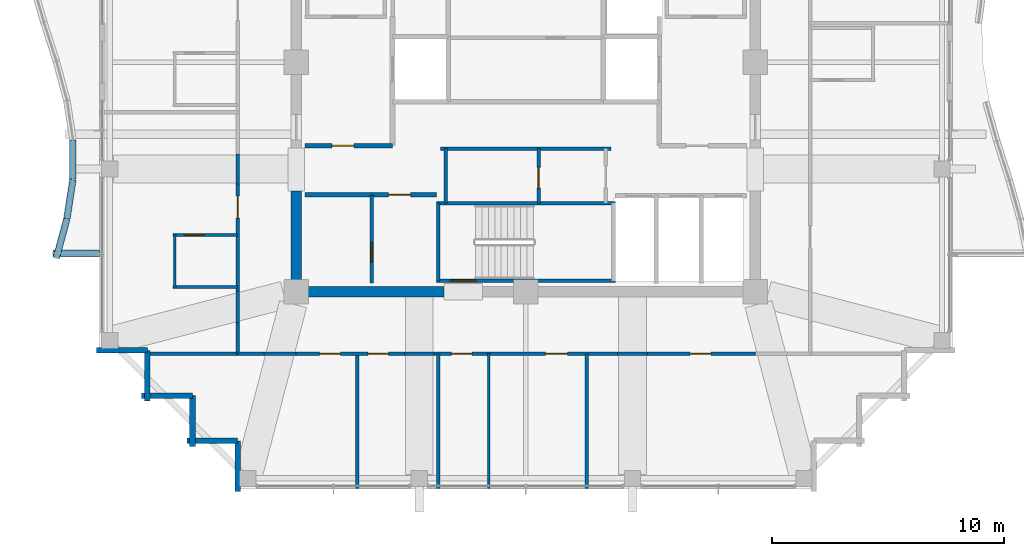
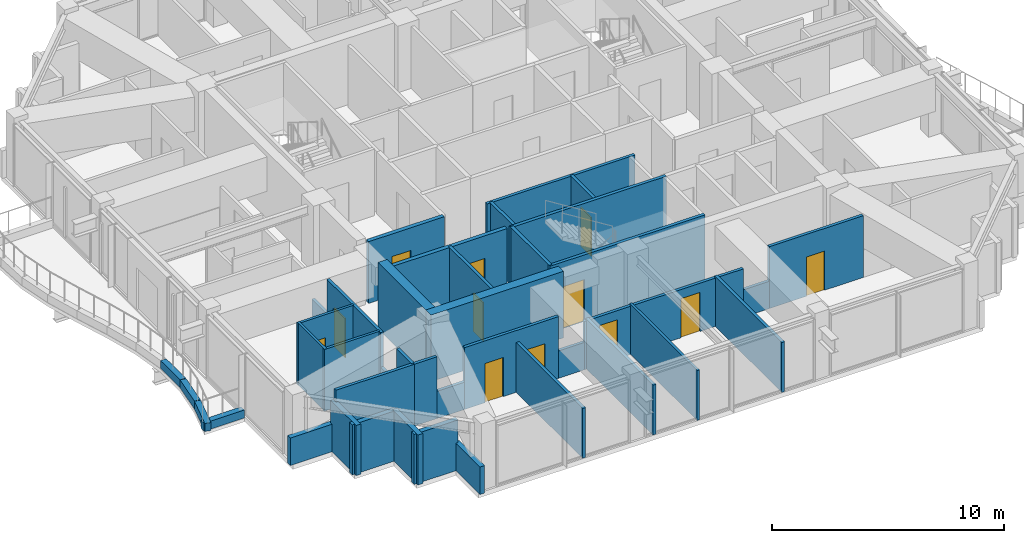
# One storey, part 25 of 31: 40 walls, 12 doors, 12 openings.
"""IFC4 building model written with IfcOpenShell, lengths in metres."""

from ifc_helpers import new_model, si_unit, direction, frame, frame_2d, origin, place, context, subcontext, project, spatial, rectangle, extrude, material, layer, layer_set, type_object, element, fill, save


model = new_model("IFC4")

# Units and contexts
model_context = context("Model", 3, precision=1e-05, world=origin(), true_north=direction((0.0, 1.0)))
body_context = subcontext(model_context, "Body", "Model", "MODEL_VIEW")
ifc_project = project(units=[si_unit("LENGTHUNIT", "METRE"), si_unit("AREAUNIT", "SQUARE_METRE"), si_unit("VOLUMEUNIT", "CUBIC_METRE"), si_unit("PLANEANGLEUNIT", "RADIAN"), si_unit("MASSUNIT", "GRAM", prefix="KILO")], contexts=[model_context])

# Site, building, storey
site_placement = place(None, origin())
site = spatial("IfcSite", under=ifc_project, at=site_placement, CompositionType="ELEMENT")
building_placement = place(site_placement, origin())
building = spatial("IfcBuilding", under=site, at=building_placement, Name="Kolvaren Belvedere", CompositionType="ELEMENT")
storey_placement = place(building_placement, frame((0.0, 0.0, 237.39990234375)))
storey = spatial("IfcBuildingStorey", under=building, at=storey_placement, Name="L69", CompositionType="ELEMENT", Elevation=237.39990234375)

# Walls
ifc_material_1 = material(Name="Concrete C50/60", Category="concrete")
ifc_layer_1 = layer(ifc_material_1, 0.449951171875)
ifc_layer_set_1 = layer_set([ifc_layer_1], Name="Concrete C50/60")
wall_type_1 = type_object("IfcWallType", Name="CW-CORE-450", PredefinedType="SHEAR", material=ifc_layer_set_1)
wall_1_placement = place(storey_placement, frame((-3.5400390625, -9.89990234375, 0.0), z_axis=(0.0, 0.0, 1.0), x_axis=(-1.0, 0.0, 0.0)))
element("IfcWall", 1, at=wall_1_placement, inside=storey, type_object=wall_type_1, Name="L69 South Core Shear Wall 2", PredefinedType="SHEAR", context=body_context, shape_type="SweptSolid", body=[
    extrude(rectangle(XDim=6.5849609375, YDim=0.449951171875, at=frame_2d((3.29248046875, 0.0))), origin(), (0.0, 0.0, 1.0), 3.5),
])
wall_2_placement = place(storey_placement, frame((-9.89990234375, -9.675048828125, 0.0), z_axis=(0.0, 0.0, 1.0), x_axis=(0.0, 1.0, 0.0)))
element("IfcWall", 2, at=wall_2_placement, inside=storey, type_object=wall_type_1, Name="L69 West Core Shear Wall 1", PredefinedType="SHEAR", context=body_context, shape_type="SweptSolid", body=[
    extrude(rectangle(XDim=4.125, YDim=0.449951171875, at=frame_2d((2.0625, 0.0))), origin(), (0.0, 0.0, 1.0), 3.5),
])

# Wall, opening, door
ifc_material_2 = material(Name="Concrete C50/60", Category="concrete")
ifc_layer_2 = layer(ifc_material_2, 0.159912109375)
ifc_layer_set_2 = layer_set([ifc_layer_2], Name="Concrete C50/60")
wall_type_2 = type_object("IfcWallType", Name="CW-STAIR-160", PredefinedType="SHEAR", material=ifc_layer_set_2)
wall_3_placement = place(storey_placement, frame((3.860107421875, -9.429931640625, 0.0), z_axis=(0.0, 0.0, 1.0), x_axis=(-1.0, 0.0, 0.0)))
wall_3 = element("IfcWall", 3, at=wall_3_placement, inside=storey, type_object=wall_type_2, Name="L69 Stair ST-3 South Shear Wall", PredefinedType="SHEAR", context=body_context, shape_type="SweptSolid", body=[
    extrude(rectangle(XDim=7.72021484375, YDim=0.159912109375, at=frame_2d((3.860107421875, 0.0))), origin(), (0.0, 0.0, 1.0), 3.5),
])
opening_1_placement = place(wall_3_placement, frame((6.010009765625, 0.0, 0.0)))
opening_1 = element("IfcOpeningElement", 4, at=opening_1_placement, cuts=wall_3, Name="Opening D-FD90", PredefinedType="OPENING", context=body_context, shape_type="SweptSolid", body=[
    extrude(rectangle(XDim=1.10009765625, YDim=2.199951171875, at=frame_2d((0.550048828125, 1.10009765625))), frame((0.0, 0.08984375, 0.0), z_axis=(0.0, -1.0, 0.0), x_axis=(1.0, 0.0, 0.0)), (0.0, 0.0, 1.0), 0.179931640625),
])
ifc_material_3 = material(Name="Painted hollow stainless steel", Category="steel")
door_type_1 = type_object("IfcDoorType", Name="DR-FD90-1100", OperationType="NOTDEFINED", PredefinedType="DOOR", material=ifc_material_3)
door_1_placement = place(opening_1_placement, origin())
door_1 = element("IfcDoor", 5, at=door_1_placement, inside=storey, type_object=door_type_1, Name="L69 Stair ST-3 Exit Door", OperationType="SINGLE_SWING_RIGHT", OverallHeight=2.199951171875, OverallWidth=1.10009765625, PredefinedType="DOOR", context=body_context, shape_type="SweptSolid", body=[
    extrude(rectangle(XDim=1.10009765625, YDim=2.199951171875, at=frame_2d((0.550048828125, 1.10009765625))), frame((0.0, 0.02490234375, 0.0), z_axis=(0.0, -1.0, 0.0), x_axis=(1.0, 0.0, 0.0)), (0.0, 0.0, 1.0), 0.050048828125),
])
fill(opening_1, door_1)

# Walls
wall_4_placement = place(storey_placement, frame((-3.860107421875, -6.080078125, 0.0), z_axis=(0.0, 0.0, 1.0), x_axis=(1.0, 0.0, 0.0)))
element("IfcWall", 6, at=wall_4_placement, inside=storey, type_object=wall_type_2, Name="L69 Stair ST-3 North Shear Wall", PredefinedType="SHEAR", context=body_context, shape_type="SweptSolid", body=[
    extrude(rectangle(XDim=7.72021484375, YDim=0.159912109375, at=frame_2d((3.860107421875, 0.0))), origin(), (0.0, 0.0, 1.0), 3.5),
])
wall_5_placement = place(storey_placement, frame((-3.780029296875, -9.429931640625, 0.0), z_axis=(0.0, 0.0, 1.0), x_axis=(0.0, 1.0, 0.0)))
element("IfcWall", 7, at=wall_5_placement, inside=storey, type_object=wall_type_2, Name="L69 Stair ST-3 West Shear Wall", PredefinedType="SHEAR", context=body_context, shape_type="SweptSolid", body=[
    extrude(rectangle(XDim=3.349853515625, YDim=0.159912109375, at=frame_2d((1.6748046875, 0.0))), origin(), (0.0, 0.0, 1.0), 3.5),
])
ifc_material_4 = material(Name="Gypsum fire-rated partition assembly", Category="gypsum")
ifc_layer_3 = layer(ifc_material_4, 0.14990234375)
ifc_layer_set_3 = layer_set([ifc_layer_3], Name="Gypsum fire-rated partition assembly")
wall_type_3 = type_object("IfcWallType", Name="WL-CORR-150", PredefinedType="PARTITIONING", material=ifc_layer_set_3)
wall_6_placement = place(storey_placement, frame((-12.419921875, -12.580078125, 0.0), z_axis=(0.0, 0.0, 1.0), x_axis=(1.0, 0.0, 0.0)))
element("IfcWall", 8, at=wall_6_placement, inside=storey, type_object=wall_type_3, Name="L69 South Corridor Wall", PredefinedType="PARTITIONING", context=body_context, shape_type="SweptSolid", body=[
    extrude(rectangle(XDim=1.1357421875, YDim=0.14990234375, at=frame_2d((0.56787109375, 0.0))), origin(), (0.0, 0.0, 1.0), 3.25),
])
wall_7_placement = place(storey_placement, frame((-11.2841796875, -12.580078125, 0.0), z_axis=(0.0, 0.0, 1.0), x_axis=(1.0, 0.0, 0.0)))
element("IfcWall", 9, at=wall_7_placement, inside=storey, type_object=wall_type_3, Name="L69 South Corridor Wall", PredefinedType="PARTITIONING", context=body_context, shape_type="SweptSolid", body=[
    extrude(rectangle(XDim=1.370361328125, YDim=0.14990234375, at=frame_2d((0.68505859375, 0.0))), origin(), (0.0, 0.0, 1.0), 1.43505859375),
])

# Wall, openings, doors
wall_8_placement = place(storey_placement, frame((-9.913818359375, -12.580078125, 0.0), z_axis=(0.0, 0.0, 1.0), x_axis=(1.0, 0.0, 0.0)))
wall_8 = element("IfcWall", 10, at=wall_8_placement, inside=storey, type_object=wall_type_3, Name="L69 South Corridor Wall", PredefinedType="PARTITIONING", context=body_context, shape_type="SweptSolid", body=[
    extrude(rectangle(XDim=4.671875, YDim=0.14990234375, at=frame_2d((2.3359375, 0.0))), origin(), (0.0, 0.0, 1.0), 3.25),
])
opening_2_placement = place(wall_8_placement, frame((1.018310546875, 0.0, 0.0)))
opening_2 = element("IfcOpeningElement", 11, at=opening_2_placement, cuts=wall_8, Name="Opening D-INT90", PredefinedType="OPENING", context=body_context, shape_type="SweptSolid", body=[
    extrude(rectangle(XDim=0.89990234375, YDim=2.06005859375, at=frame_2d((0.449951171875, 1.030029296875))), frame((0.0, 0.0849609375, 0.0), z_axis=(0.0, -1.0, 0.0), x_axis=(1.0, 0.0, 0.0)), (0.0, 0.0, 1.0), 0.169921875),
])
opening_3_placement = place(wall_8_placement, frame((3.09619140625, 0.0, 0.0)))
opening_3 = element("IfcOpeningElement", 12, at=opening_3_placement, cuts=wall_8, Name="Opening D-INT90", PredefinedType="OPENING", context=body_context, shape_type="SweptSolid", body=[
    extrude(rectangle(XDim=0.89990234375, YDim=2.06005859375, at=frame_2d((0.449951171875, 1.030029296875))), frame((0.0, 0.0849609375, 0.0), z_axis=(0.0, -1.0, 0.0), x_axis=(1.0, 0.0, 0.0)), (0.0, 0.0, 1.0), 0.169921875),
])
ifc_material_5 = material(Name="Stained Pacific white oak", Category="timber")
door_type_2 = type_object("IfcDoorType", Name="DR-INT-900", OperationType="NOTDEFINED", PredefinedType="DOOR", material=ifc_material_5)
door_2_placement = place(opening_2_placement, origin())
door_2 = element("IfcDoor", 13, at=door_2_placement, inside=storey, type_object=door_type_2, Name="L69 Wellness Yoga & Reading Gym 6901 Door", OperationType="SINGLE_SWING_LEFT", OverallHeight=2.06005859375, OverallWidth=0.89990234375, PredefinedType="DOOR", context=body_context, shape_type="SweptSolid", body=[
    extrude(rectangle(XDim=0.89990234375, YDim=2.06005859375, at=frame_2d((0.449951171875, 1.030029296875))), frame((0.0, 0.02490234375, 0.0), z_axis=(0.0, -1.0, 0.0), x_axis=(1.0, 0.0, 0.0)), (0.0, 0.0, 1.0), 0.050048828125),
])
fill(opening_2, door_2)
door_3_placement = place(opening_3_placement, origin())
door_3 = element("IfcDoor", 14, at=door_3_placement, inside=storey, type_object=door_type_2, Name="L69 Guest Tea & Espresso Kitchen 6902 Door", OperationType="SINGLE_SWING_RIGHT", OverallHeight=2.06005859375, OverallWidth=0.89990234375, PredefinedType="DOOR", context=body_context, shape_type="SweptSolid", body=[
    extrude(rectangle(XDim=0.89990234375, YDim=2.06005859375, at=frame_2d((0.449951171875, 1.030029296875))), frame((0.0, 0.02490234375, 0.0), z_axis=(0.0, -1.0, 0.0), x_axis=(1.0, 0.0, 0.0)), (0.0, 0.0, 1.0), 0.050048828125),
])
fill(opening_3, door_3)

# Wall
wall_9_placement = place(storey_placement, frame((-5.241943359375, -12.580078125, 0.0), z_axis=(0.0, 0.0, 1.0), x_axis=(1.0, 0.0, 0.0)))
element("IfcWall", 15, at=wall_9_placement, inside=storey, type_object=wall_type_3, Name="L69 South Corridor Wall", PredefinedType="PARTITIONING", context=body_context, shape_type="SweptSolid", body=[
    extrude(rectangle(XDim=1.283935546875, YDim=0.14990234375, at=frame_2d((0.64208984375, 0.0))), origin(), (0.0, 0.0, 1.0), 1.43505859375),
])

# Wall, openings, doors
wall_10_placement = place(storey_placement, frame((-3.9580078125, -12.580078125, 0.0), z_axis=(0.0, 0.0, 1.0), x_axis=(1.0, 0.0, 0.0)))
wall_10 = element("IfcWall", 16, at=wall_10_placement, inside=storey, type_object=wall_type_3, Name="L69 South Corridor Wall", PredefinedType="PARTITIONING", context=body_context, shape_type="SweptSolid", body=[
    extrude(rectangle(XDim=7.916015625, YDim=0.14990234375, at=frame_2d((3.9580078125, 0.0))), origin(), (0.0, 0.0, 1.0), 2.5390625),
])
opening_4_placement = place(wall_10_placement, frame((0.741455078125, 0.0, 0.0)))
opening_4 = element("IfcOpeningElement", 17, at=opening_4_placement, cuts=wall_10, Name="Opening D-INT90", PredefinedType="OPENING", context=body_context, shape_type="SweptSolid", body=[
    extrude(rectangle(XDim=0.89990234375, YDim=2.06005859375, at=frame_2d((0.449951171875, 1.030029296875))), frame((0.0, 0.0849609375, 0.0), z_axis=(0.0, -1.0, 0.0), x_axis=(1.0, 0.0, 0.0)), (0.0, 0.0, 1.0), 0.169921875),
])
opening_5_placement = place(wall_10_placement, frame((4.797119140625, 0.0, 0.0)))
opening_5 = element("IfcOpeningElement", 18, at=opening_5_placement, cuts=wall_10, Name="Opening D-INT95", PredefinedType="OPENING", context=body_context, shape_type="SweptSolid", body=[
    extrude(rectangle(XDim=0.949951171875, YDim=2.06005859375, at=frame_2d((0.47509765625, 1.030029296875))), frame((0.0, 0.0849609375, 0.0), z_axis=(0.0, -1.0, 0.0), x_axis=(1.0, 0.0, 0.0)), (0.0, 0.0, 1.0), 0.169921875),
])
door_4_placement = place(opening_4_placement, origin())
door_4 = element("IfcDoor", 19, at=door_4_placement, inside=storey, type_object=door_type_2, Name="L69 Housekeeping Door", OperationType="SINGLE_SWING_LEFT", OverallHeight=2.06005859375, OverallWidth=0.89990234375, PredefinedType="DOOR", context=body_context, shape_type="SweptSolid", body=[
    extrude(rectangle(XDim=0.89990234375, YDim=2.06005859375, at=frame_2d((0.449951171875, 1.030029296875))), frame((0.0, 0.02490234375, 0.0), z_axis=(0.0, -1.0, 0.0), x_axis=(1.0, 0.0, 0.0)), (0.0, 0.0, 1.0), 0.050048828125),
])
fill(opening_4, door_4)
ifc_material_6 = material(Name="Stained Pacific white oak", Category="timber")
door_type_3 = type_object("IfcDoorType", Name="DR-INT-950", OperationType="NOTDEFINED", PredefinedType="DOOR", material=ifc_material_6)
door_5_placement = place(opening_5_placement, origin())
door_5 = element("IfcDoor", 20, at=door_5_placement, inside=storey, type_object=door_type_3, Name="L69 Accessible Washroom Door", OperationType="SINGLE_SWING_RIGHT", OverallHeight=2.06005859375, OverallWidth=0.949951171875, PredefinedType="DOOR", context=body_context, shape_type="SweptSolid", body=[
    extrude(rectangle(XDim=0.949951171875, YDim=2.06005859375, at=frame_2d((0.47509765625, 1.030029296875))), frame((0.0, 0.02490234375, 0.0), z_axis=(0.0, -1.0, 0.0), x_axis=(1.0, 0.0, 0.0)), (0.0, 0.0, 1.0), 0.050048828125),
])
fill(opening_5, door_5)

# Wall
wall_11_placement = place(storey_placement, frame((3.9580078125, -12.580078125, 0.0), z_axis=(0.0, 0.0, 1.0), x_axis=(1.0, 0.0, 0.0)))
element("IfcWall", 21, at=wall_11_placement, inside=storey, type_object=wall_type_3, Name="L69 South Corridor Wall", PredefinedType="PARTITIONING", context=body_context, shape_type="SweptSolid", body=[
    extrude(rectangle(XDim=1.283935546875, YDim=0.14990234375, at=frame_2d((0.64208984375, 0.0))), origin(), (0.0, 0.0, 1.0), 1.43505859375),
])

# Wall, opening, door
wall_12_placement = place(storey_placement, frame((5.241943359375, -12.580078125, 0.0), z_axis=(0.0, 0.0, 1.0), x_axis=(1.0, 0.0, 0.0)))
wall_12 = element("IfcWall", 22, at=wall_12_placement, inside=storey, type_object=wall_type_3, Name="L69 South Corridor Wall", PredefinedType="PARTITIONING", context=body_context, shape_type="SweptSolid", body=[
    extrude(rectangle(XDim=4.671875, YDim=0.14990234375, at=frame_2d((2.3359375, 0.0))), origin(), (0.0, 0.0, 1.0), 3.25),
])
opening_6_placement = place(wall_12_placement, frame((1.843017578125, 0.0, 0.0)))
opening_6 = element("IfcOpeningElement", 23, at=opening_6_placement, cuts=wall_12, Name="Opening D-INT90", PredefinedType="OPENING", context=body_context, shape_type="SweptSolid", body=[
    extrude(rectangle(XDim=0.89990234375, YDim=2.06005859375, at=frame_2d((0.449951171875, 1.030029296875))), frame((0.0, 0.0849609375, 0.0), z_axis=(0.0, -1.0, 0.0), x_axis=(1.0, 0.0, 0.0)), (0.0, 0.0, 1.0), 0.169921875),
])
door_6_placement = place(opening_6_placement, origin())
door_6 = element("IfcDoor", 24, at=door_6_placement, inside=storey, type_object=door_type_2, Name="L69 Private Hospitality Meeting Room 6903 Door", OperationType="SINGLE_SWING_LEFT", OverallHeight=2.06005859375, OverallWidth=0.89990234375, PredefinedType="DOOR", context=body_context, shape_type="SweptSolid", body=[
    extrude(rectangle(XDim=0.89990234375, YDim=2.06005859375, at=frame_2d((0.449951171875, 1.030029296875))), frame((0.0, 0.02490234375, 0.0), z_axis=(0.0, -1.0, 0.0), x_axis=(1.0, 0.0, 0.0)), (0.0, 0.0, 1.0), 0.050048828125),
])
fill(opening_6, door_6)

# Walls
wall_13_placement = place(storey_placement, frame((-12.419921875, -12.580078125, 0.0), z_axis=(0.0, 0.0, 1.0), x_axis=(0.0, 1.0, 0.0)))
element("IfcWall", 25, at=wall_13_placement, inside=storey, type_object=wall_type_3, Name="L69 West Corridor Wall", PredefinedType="PARTITIONING", context=body_context, shape_type="SweptSolid", body=[
    extrude(rectangle(XDim=1.33740234375, YDim=0.14990234375, at=frame_2d((0.668701171875, 0.0))), origin(), (0.0, 0.0, 1.0), 3.25),
])
wall_14_placement = place(storey_placement, frame((-12.419921875, -11.24267578125, 0.0), z_axis=(0.0, 0.0, 1.0), x_axis=(0.0, 1.0, 0.0)))
element("IfcWall", 26, at=wall_14_placement, inside=storey, type_object=wall_type_3, Name="L69 West Corridor Wall", PredefinedType="PARTITIONING", context=body_context, shape_type="SweptSolid", body=[
    extrude(rectangle(XDim=1.370361328125, YDim=0.14990234375, at=frame_2d((0.68505859375, 0.0))), origin(), (0.0, 0.0, 1.0), 1.43505859375),
])

# Wall, opening, door
wall_15_placement = place(storey_placement, frame((-12.419921875, -9.872314453125, 0.0), z_axis=(0.0, 0.0, 1.0), x_axis=(0.0, 1.0, 0.0)))
wall_15 = element("IfcWall", 27, at=wall_15_placement, inside=storey, type_object=wall_type_3, Name="L69 West Corridor Wall", PredefinedType="PARTITIONING", context=body_context, shape_type="SweptSolid", body=[
    extrude(rectangle(XDim=4.63037109375, YDim=0.14990234375, at=frame_2d((2.315185546875, 0.0))), origin(), (0.0, 0.0, 1.0), 3.25),
])
opening_7_placement = place(wall_15_placement, frame((3.150146484375, 0.0, 0.0)))
opening_7 = element("IfcOpeningElement", 28, at=opening_7_placement, cuts=wall_15, Name="Opening D-FD60", PredefinedType="OPENING", context=body_context, shape_type="SweptSolid", body=[
    extrude(rectangle(XDim=0.949951171875, YDim=2.06005859375, at=frame_2d((0.47509765625, 1.030029296875))), frame((0.0, 0.0849609375, 0.0), z_axis=(0.0, -1.0, 0.0), x_axis=(1.0, 0.0, 0.0)), (0.0, 0.0, 1.0), 0.169921875),
])
ifc_material_7 = material(Name="Acoustic white-oak fire door leaf", Category="timber")
door_type_4 = type_object("IfcDoorType", Name="DR-FD60-950", OperationType="NOTDEFINED", PredefinedType="DOOR", material=ifc_material_7)
door_7_placement = place(opening_7_placement, origin())
door_7 = element("IfcDoor", 29, at=door_7_placement, inside=storey, type_object=door_type_4, Name="L69 Botanical Hospitality Suite 6906 Entry Door", OperationType="SINGLE_SWING_LEFT", OverallHeight=2.06005859375, OverallWidth=0.949951171875, PredefinedType="DOOR", context=body_context, shape_type="SweptSolid", body=[
    extrude(rectangle(XDim=0.949951171875, YDim=2.06005859375, at=frame_2d((0.47509765625, 1.030029296875))), frame((0.0, 0.02490234375, 0.0), z_axis=(0.0, -1.0, 0.0), x_axis=(1.0, 0.0, 0.0)), (0.0, 0.0, 1.0), 0.050048828125),
])
fill(opening_7, door_7)

# Walls
wall_16_placement = place(storey_placement, frame((-12.419921875, -5.241943359375, 0.0), z_axis=(0.0, 0.0, 1.0), x_axis=(0.0, 1.0, 0.0)))
element("IfcWall", 30, at=wall_16_placement, inside=storey, type_object=wall_type_3, Name="L69 West Corridor Wall", PredefinedType="PARTITIONING", context=body_context, shape_type="SweptSolid", body=[
    extrude(rectangle(XDim=1.283935546875, YDim=0.14990234375, at=frame_2d((0.64208984375, 0.0))), origin(), (0.0, 0.0, 1.0), 1.43505859375),
])
ifc_material_8 = material(Name="Insulated pale-metal facade wall assembly", Category="aluminium")
ifc_layer_4 = layer(ifc_material_8, 0.239990234375)
ifc_layer_set_4 = layer_set([ifc_layer_4], Name="Insulated pale-metal facade wall assembly")
wall_type_4 = type_object("IfcWallType", Name="WL-EXT-240", PredefinedType="STANDARD", material=ifc_layer_set_4)
wall_17_placement = place(storey_placement, frame((-16.330078125, -12.429931640625, 0.0), z_axis=(0.0, 0.0, 1.0), x_axis=(-1.0, 0.0, 0.0)))
element("IfcWall", 31, at=wall_17_placement, inside=storey, type_object=wall_type_4, Name="L69 Serrated Corner Facade Wall 23", PredefinedType="STANDARD", context=body_context, shape_type="SweptSolid", body=[
    extrude(rectangle(XDim=2.18994140625, YDim=0.239990234375, at=frame_2d((1.094970703125, 0.0))), origin(), (0.0, 0.0, 1.0), 1.445068359375),
])
for number, where, z_axis, x_axis, name in (
    (32, (-16.330078125, -14.6201171875, 0.0), (0.0, 0.0, 1.0), (0.0, 1.0, 0.0), "L69 Serrated Corner Facade Wall 24"),
    (33, (-14.3798828125, -14.3798828125, 0.0), (0.0, 0.0, 1.0), (-1.0, 0.0, 0.0), "L69 Serrated Corner Facade Wall 25"),
    (34, (-14.3798828125, -16.570068359375, 0.0), (0.0, 0.0, 1.0), (0.0, 1.0, 0.0), "L69 Serrated Corner Facade Wall 26"),
    (35, (-12.429931640625, -16.330078125, 0.0), (0.0, 0.0, 1.0), (-1.0, 0.0, 0.0), "L69 Serrated Corner Facade Wall 27"),
):
    element("IfcWall", number, at=place(storey_placement, frame(where, z_axis=z_axis, x_axis=x_axis)), inside=storey, type_object=wall_type_4, Name=name, PredefinedType="STANDARD", context=body_context, shape_type="SweptSolid", body=[
        extrude(rectangle(XDim=2.190185546875, YDim=0.239990234375, at=frame_2d((1.09521484375, 0.0))), origin(), (0.0, 0.0, 1.0), 2.633056640625),
    ])
wall_18_placement = place(storey_placement, frame((-12.429931640625, -18.52001953125, 0.0), z_axis=(0.0, 0.0, 1.0), x_axis=(0.0, 1.0, 0.0)))
element("IfcWall", 36, at=wall_18_placement, inside=storey, type_object=wall_type_4, Name="L69 Serrated Corner Facade Wall 28", PredefinedType="STANDARD", context=body_context, shape_type="SweptSolid", body=[
    extrude(rectangle(XDim=2.18994140625, YDim=0.239990234375, at=frame_2d((1.094970703125, 0.0))), origin(), (0.0, 0.0, 1.0), 1.445068359375),
])

# Wall, opening, door
ifc_material_9 = material(Name="Gypsum acoustic partition assembly", Category="gypsum")
ifc_layer_5 = layer(ifc_material_9, 0.14990234375)
ifc_layer_set_5 = layer_set([ifc_layer_5], Name="Gypsum acoustic partition assembly")
wall_type_5 = type_object("IfcWallType", Name="WL-PART-150", PredefinedType="PARTITIONING", material=ifc_layer_set_5)
wall_19_placement = place(storey_placement, frame((-6.64990234375, -9.52001953125, 0.0), z_axis=(0.0, 0.0, 1.0), x_axis=(0.0, 1.0, 0.0)))
wall_19 = element("IfcWall", 37, at=wall_19_placement, inside=storey, type_object=wall_type_5, Name="L69 Reclaimed Mid Divider", PredefinedType="PARTITIONING", context=body_context, shape_type="SweptSolid", body=[
    extrude(rectangle(XDim=3.800048828125, YDim=0.14990234375, at=frame_2d((1.89990234375, 0.0))), origin(), (0.0, 0.0, 1.0), 3.25),
])
opening_8_placement = place(wall_19_placement, frame((0.89990234375, 0.0, 0.0)))
opening_8 = element("IfcOpeningElement", 38, at=opening_8_placement, cuts=wall_19, Name="Opening D-INT85", PredefinedType="OPENING", context=body_context, shape_type="SweptSolid", body=[
    extrude(rectangle(XDim=0.85009765625, YDim=2.030029296875, at=frame_2d((0.425048828125, 1.01513671875))), frame((0.0, 0.0849609375, 0.0), z_axis=(0.0, -1.0, 0.0), x_axis=(1.0, 0.0, 0.0)), (0.0, 0.0, 1.0), 0.169921875),
])
ifc_material_10 = material(Name="Stained Pacific white oak", Category="timber")
door_type_5 = type_object("IfcDoorType", Name="DR-INT-850", OperationType="NOTDEFINED", PredefinedType="DOOR", material=ifc_material_10)
door_8_placement = place(opening_8_placement, origin())
door_8 = element("IfcDoor", 39, at=door_8_placement, inside=storey, type_object=door_type_5, Name="L69 Conservatory Alcove Door", OperationType="SINGLE_SWING_RIGHT", OverallHeight=2.030029296875, OverallWidth=0.85009765625, PredefinedType="DOOR", context=body_context, shape_type="SweptSolid", body=[
    extrude(rectangle(XDim=0.85009765625, YDim=2.030029296875, at=frame_2d((0.425048828125, 1.01513671875))), frame((0.0, 0.02490234375, 0.0), z_axis=(0.0, -1.0, 0.0), x_axis=(1.0, 0.0, 0.0)), (0.0, 0.0, 1.0), 0.050048828125),
])
fill(opening_8, door_8)

# Walls
wall_20_placement = place(storey_placement, frame((-3.679931640625, -3.719970703125, 0.0), z_axis=(0.0, 0.0, 1.0), x_axis=(1.0, 0.0, 0.0)))
element("IfcWall", 40, at=wall_20_placement, inside=storey, type_object=wall_type_5, Name="L69 South Core Service North Wall", PredefinedType="PARTITIONING", context=body_context, shape_type="SweptSolid", body=[
    extrude(rectangle(XDim=7.35986328125, YDim=0.14990234375, at=frame_2d((3.679931640625, 0.0))), origin(), (0.0, 0.0, 1.0), 3.25),
])
wall_21_placement = place(storey_placement, frame((-3.449951171875, -6.080078125, 0.0), z_axis=(0.0, 0.0, 1.0), x_axis=(0.0, 1.0, 0.0)))
element("IfcWall", 41, at=wall_21_placement, inside=storey, type_object=wall_type_5, Name="L69 South Core Service West Wall", PredefinedType="PARTITIONING", context=body_context, shape_type="SweptSolid", body=[
    extrude(rectangle(XDim=2.360107421875, YDim=0.14990234375, at=frame_2d((1.18017578125, 0.0))), origin(), (0.0, 0.0, 1.0), 3.25),
])

# Wall, opening, door
wall_22_placement = place(storey_placement, frame((0.550048828125, -6.080078125, 0.0), z_axis=(0.0, 0.0, 1.0), x_axis=(0.0, 1.0, 0.0)))
wall_22 = element("IfcWall", 42, at=wall_22_placement, inside=storey, type_object=wall_type_5, Name="L69 Core Service Divider", PredefinedType="PARTITIONING", context=body_context, shape_type="SweptSolid", body=[
    extrude(rectangle(XDim=2.360107421875, YDim=0.14990234375, at=frame_2d((1.18017578125, 0.0))), origin(), (0.0, 0.0, 1.0), 3.25),
])
opening_9_placement = place(wall_22_placement, frame((0.64990234375, 0.0, 0.0)))
opening_9 = element("IfcOpeningElement", 43, at=opening_9_placement, cuts=wall_22, Name="Opening D-INT90", PredefinedType="OPENING", context=body_context, shape_type="SweptSolid", body=[
    extrude(rectangle(XDim=0.89990234375, YDim=2.06005859375, at=frame_2d((0.449951171875, 1.030029296875))), frame((0.0, 0.0849609375, 0.0), z_axis=(0.0, -1.0, 0.0), x_axis=(1.0, 0.0, 0.0)), (0.0, 0.0, 1.0), 0.169921875),
])
door_9_placement = place(opening_9_placement, origin())
door_9 = element("IfcDoor", 44, at=door_9_placement, inside=storey, type_object=door_type_2, Name="L69 BMS Inner Door", OperationType="SINGLE_SWING_LEFT", OverallHeight=2.06005859375, OverallWidth=0.89990234375, PredefinedType="DOOR", context=body_context, shape_type="SweptSolid", body=[
    extrude(rectangle(XDim=0.89990234375, YDim=2.06005859375, at=frame_2d((0.449951171875, 1.030029296875))), frame((0.0, 0.02490234375, 0.0), z_axis=(0.0, -1.0, 0.0), x_axis=(1.0, 0.0, 0.0)), (0.0, 0.0, 1.0), 0.050048828125),
])
fill(opening_9, door_9)

# Walls
wall_23_placement = place(storey_placement, frame((-16.320068359375, -12.580078125, 0.0), z_axis=(0.0, 0.0, 1.0), x_axis=(1.0, 0.0, 0.0)))
element("IfcWall", 45, at=wall_23_placement, inside=storey, type_object=wall_type_5, Name="L69 Wing Divider PW-L69-QSW", PredefinedType="PARTITIONING", context=body_context, shape_type="SweptSolid", body=[
    extrude(rectangle(XDim=3.900146484375, YDim=0.14990234375, at=frame_2d((1.9501953125, 0.0))), origin(), (0.0, 0.0, 1.0), 3.25),
])
for number, where, z_axis, x_axis, name in (
    (46, (-7.280029296875, -18.3798828125, 0.0), (0.0, 0.0, 1.0), (0.0, 1.0, 0.0), "L69 South Suite Demising Wall 1"),
    (47, (-3.780029296875, -18.3798828125, 0.0), (0.0, 0.0, 1.0), (0.0, 1.0, 0.0), "L69 South Suite Demising Wall 2"),
    (48, (2.6201171875, -18.3798828125, 0.0), (0.0, 0.0, 1.0), (0.0, 1.0, 0.0), "L69 South Suite Demising Wall 3"),
):
    element("IfcWall", number, at=place(storey_placement, frame(where, z_axis=z_axis, x_axis=x_axis)), inside=storey, type_object=wall_type_5, Name=name, PredefinedType="PARTITIONING", context=body_context, shape_type="SweptSolid", body=[
        extrude(rectangle(XDim=5.7998046875, YDim=0.14990234375, at=frame_2d((2.89990234375, 0.0))), origin(), (0.0, 0.0, 1.0), 2.623046875),
    ])
ifc_material_11 = material(Name="Precast concrete C40/50", Category="concrete")
ifc_layer_6 = layer(ifc_material_11, 0.300048828125)
ifc_layer_set_6 = layer_set([ifc_layer_6], Name="Precast concrete C40/50")
wall_type_6 = type_object("IfcWallType", Name="WL-PLANTER-300", PredefinedType="PARAPET", material=ifc_layer_set_6)
wall_24_placement = place(storey_placement, frame((-19.533935546875, -3.360107421875, -0.06982421875), z_axis=(0.0, 0.0, 1.0), x_axis=(0.0, -1.0, 0.0)))
element("IfcWall", 49, at=wall_24_placement, inside=storey, type_object=wall_type_6, Name="L69 Precast Structural Planter Wall BAL-W-8", PredefinedType="PARAPET", context=body_context, shape_type="SweptSolid", body=[
    extrude(rectangle(XDim=1.679931640625, YDim=0.280029296875, at=frame_2d((0.83984375, 0.0))), origin(), (0.0, 0.0, 1.0), 0.419921875),
])
wall_25_placement = place(storey_placement, frame((-19.535888671875, -5.064453125, -0.06982421875), z_axis=(0.0, 0.0, 1.0), x_axis=(-0.152251460091, -0.988341789514, 0.0)))
element("IfcWall", 50, at=wall_25_placement, inside=storey, type_object=wall_type_6, Name="L69 Precast Structural Planter Wall BAL-W-9", PredefinedType="PARAPET", context=body_context, shape_type="SweptSolid", body=[
    extrude(rectangle(XDim=1.69970703125, YDim=0.280029296875, at=frame_2d((0.849853515625, 0.0))), origin(), (0.0, 0.0, 1.0), 0.419921875),
])
wall_26_placement = place(storey_placement, frame((-19.798095703125, -6.76171875, -0.06982421875), z_axis=(0.0, 0.0, 1.0), x_axis=(-0.260682852326, -0.965424492388, 0.0)))
element("IfcWall", 51, at=wall_26_placement, inside=storey, type_object=wall_type_6, Name="L69 Precast Structural Planter Wall BAL-W-10", PredefinedType="PARAPET", context=body_context, shape_type="SweptSolid", body=[
    extrude(rectangle(XDim=1.739990234375, YDim=0.280029296875, at=frame_2d((0.8701171875, 0.0))), origin(), (0.0, 0.0, 1.0), 0.419921875),
])
wall_27_placement = place(storey_placement, frame((-20.40625, -8.239990234375, -0.06982421875), z_axis=(0.0, 0.0, 1.0), x_axis=(1.0, 0.0, 0.0)))
element("IfcWall", 52, at=wall_27_placement, inside=storey, type_object=wall_type_6, Name="L69 Precast Structural Planter Wall BAL-W-11", PredefinedType="PARAPET", context=body_context, shape_type="SweptSolid", body=[
    extrude(rectangle(XDim=2.00634765625, YDim=0.280029296875, at=frame_2d((1.003173828125, 0.0))), origin(), (0.0, 0.0, 1.0), 0.419921875),
])

# Wall, opening, door
ifc_material_12 = material(Name="Concrete C50/60", Category="concrete")
ifc_layer_7 = layer(ifc_material_12, 0.199951171875)
ifc_layer_set_7 = layer_set([ifc_layer_7], Name="Concrete C50/60")
wall_type_7 = type_object("IfcWallType", Name="WL-SHAFT-200", PredefinedType="SOLIDWALL", material=ifc_layer_set_7)
wall_28_placement = place(storey_placement, frame((-9.52001953125, -3.60009765625, 0.0), z_axis=(0.0, 0.0, 1.0), x_axis=(1.0, 0.0, 0.0)))
wall_28 = element("IfcWall", 53, at=wall_28_placement, inside=storey, type_object=wall_type_7, Name="L69 West FSAE Lobby South Wall", PredefinedType="SOLIDWALL", context=body_context, shape_type="SweptSolid", body=[
    extrude(rectangle(XDim=3.77001953125, YDim=0.199951171875, at=frame_2d((1.885009765625, 0.0))), origin(), (0.0, 0.0, 1.0), 3.25),
])
opening_10_placement = place(wall_28_placement, frame((1.14990234375, 0.0, 0.0)))
opening_10 = element("IfcOpeningElement", 54, at=opening_10_placement, cuts=wall_28, Name="Opening D-FD60", PredefinedType="OPENING", context=body_context, shape_type="SweptSolid", body=[
    extrude(rectangle(XDim=0.949951171875, YDim=2.06005859375, at=frame_2d((0.47509765625, 1.030029296875))), frame((0.0, 0.10986328125, 0.0), z_axis=(0.0, -1.0, 0.0), x_axis=(1.0, 0.0, 0.0)), (0.0, 0.0, 1.0), 0.219970703125),
])
door_10_placement = place(opening_10_placement, origin())
door_10 = element("IfcDoor", 55, at=door_10_placement, inside=storey, type_object=door_type_4, Name="L69 SW Lobby Fire Door", OperationType="SINGLE_SWING_LEFT", OverallHeight=2.06005859375, OverallWidth=0.949951171875, PredefinedType="DOOR", context=body_context, shape_type="SweptSolid", body=[
    extrude(rectangle(XDim=0.949951171875, YDim=2.06005859375, at=frame_2d((0.47509765625, 1.030029296875))), frame((0.0, 0.02490234375, 0.0), z_axis=(0.0, -1.0, 0.0), x_axis=(1.0, 0.0, 0.0)), (0.0, 0.0, 1.0), 0.050048828125),
])
fill(opening_10, door_10)

wall_29_placement = place(storey_placement, frame((-9.52001953125, -5.719970703125, 0.0), z_axis=(0.0, 0.0, 1.0), x_axis=(1.0, 0.0, 0.0)))
wall_29 = element("IfcWall", 56, at=wall_29_placement, inside=storey, type_object=wall_type_7, Name="L69 Reclaimed Mid Room North Wall", PredefinedType="SOLIDWALL", context=body_context, shape_type="SweptSolid", body=[
    extrude(rectangle(XDim=5.659912109375, YDim=0.199951171875, at=frame_2d((2.830078125, 0.0))), origin(), (0.0, 0.0, 1.0), 3.25),
])
opening_11_placement = place(wall_29_placement, frame((3.60009765625, 0.0, 0.0)))
opening_11 = element("IfcOpeningElement", 57, at=opening_11_placement, cuts=wall_29, Name="Opening D-FD60", PredefinedType="OPENING", context=body_context, shape_type="SweptSolid", body=[
    extrude(rectangle(XDim=0.949951171875, YDim=2.06005859375, at=frame_2d((0.47509765625, 1.030029296875))), frame((0.0, 0.10986328125, 0.0), z_axis=(0.0, -1.0, 0.0), x_axis=(1.0, 0.0, 0.0)), (0.0, 0.0, 1.0), 0.219970703125),
])
door_11_placement = place(opening_11_placement, origin())
door_11 = element("IfcDoor", 58, at=door_11_placement, inside=storey, type_object=door_type_4, Name="L69 Study Entry Door", OperationType="SINGLE_SWING_LEFT", OverallHeight=2.06005859375, OverallWidth=0.949951171875, PredefinedType="DOOR", context=body_context, shape_type="SweptSolid", body=[
    extrude(rectangle(XDim=0.949951171875, YDim=2.06005859375, at=frame_2d((0.47509765625, 1.030029296875))), frame((0.0, 0.02490234375, 0.0), z_axis=(0.0, -1.0, 0.0), x_axis=(1.0, 0.0, 0.0)), (0.0, 0.0, 1.0), 0.050048828125),
])
fill(opening_11, door_11)

# Wall
ifc_material_13 = material(Name="Moisture-resistant gypsum partition", Category="gypsum")
ifc_layer_8 = layer(ifc_material_13, 0.125)
ifc_layer_set_8 = layer_set([ifc_layer_8], Name="Moisture-resistant gypsum partition")
wall_type_8 = type_object("IfcWallType", Name="WL-WET-125", PredefinedType="PARTITIONING", material=ifc_layer_set_8)
wall_30_placement = place(storey_placement, frame((-1.596923828125, -18.3798828125, 0.0), z_axis=(0.0, 0.0, 1.0), x_axis=(0.0, 1.0, 0.0)))
element("IfcWall", 59, at=wall_30_placement, inside=storey, type_object=wall_type_8, Name="L69 Housekeeping Washroom Divider", PredefinedType="PARTITIONING", context=body_context, shape_type="SweptSolid", body=[
    extrude(rectangle(XDim=5.824951171875, YDim=0.125, at=frame_2d((2.91259765625, 0.0))), origin(), (0.0, 0.0, 1.0), 2.623046875),
])

# Wall, opening, door
wall_31_placement = place(storey_placement, frame((-15.22509765625, -7.444091796875, 0.0), z_axis=(0.0, 0.0, 1.0), x_axis=(1.0, 0.0, 0.0)))
wall_31 = element("IfcWall", 60, at=wall_31_placement, inside=storey, type_object=wall_type_8, Name="L69 Bathroom Partition PW-L69-BTH-6-N", PredefinedType="PARTITIONING", context=body_context, shape_type="SweptSolid", body=[
    extrude(rectangle(XDim=2.7900390625, YDim=0.125, at=frame_2d((1.39501953125, 0.0))), origin(), (0.0, 0.0, 1.0), 3.25),
])
opening_12_placement = place(wall_31_placement, frame((0.5, 0.0, 0.0)))
opening_12 = element("IfcOpeningElement", 61, at=opening_12_placement, cuts=wall_31, Name="Opening D-BTH85", PredefinedType="OPENING", context=body_context, shape_type="SweptSolid", body=[
    extrude(rectangle(XDim=0.85009765625, YDim=2.030029296875, at=frame_2d((0.425048828125, 1.01513671875))), frame((0.0, 0.072509765625, 0.0), z_axis=(0.0, -1.0, 0.0), x_axis=(1.0, 0.0, 0.0)), (0.0, 0.0, 1.0), 0.14501953125),
])
ifc_material_14 = material(Name="Moisture-sealed Pacific white oak", Category="timber")
door_type_6 = type_object("IfcDoorType", Name="DR-BATH-850", OperationType="NOTDEFINED", PredefinedType="DOOR", material=ifc_material_14)
door_12_placement = place(opening_12_placement, origin())
door_12 = element("IfcDoor", 62, at=door_12_placement, inside=storey, type_object=door_type_6, Name="L69 En-Suite Bathroom 6906 Door", OperationType="SINGLE_SWING_RIGHT", OverallHeight=2.030029296875, OverallWidth=0.85009765625, PredefinedType="DOOR", context=body_context, shape_type="SweptSolid", body=[
    extrude(rectangle(XDim=0.85009765625, YDim=2.030029296875, at=frame_2d((0.425048828125, 1.01513671875))), frame((0.0, 0.02490234375, 0.0), z_axis=(0.0, -1.0, 0.0), x_axis=(1.0, 0.0, 0.0)), (0.0, 0.0, 1.0), 0.050048828125),
])
fill(opening_12, door_12)

# Walls
wall_32_placement = place(storey_placement, frame((-15.14501953125, -9.75390625, 0.0), z_axis=(0.0, 0.0, 1.0), x_axis=(0.0, 1.0, 0.0)))
element("IfcWall", 63, at=wall_32_placement, inside=storey, type_object=wall_type_8, Name="L69 Bathroom Partition PW-L69-BTH-6-V", PredefinedType="PARTITIONING", context=body_context, shape_type="SweptSolid", body=[
    extrude(rectangle(XDim=2.369873046875, YDim=0.125, at=frame_2d((1.18505859375, 0.0))), origin(), (0.0, 0.0, 1.0), 3.25),
])
wall_33_placement = place(storey_placement, frame((-15.22509765625, -9.694091796875, 0.0), z_axis=(0.0, 0.0, 1.0), x_axis=(1.0, 0.0, 0.0)))
element("IfcWall", 64, at=wall_33_placement, inside=storey, type_object=wall_type_8, Name="L69 Bathroom Partition PW-L69-BTH-6-S", PredefinedType="PARTITIONING", context=body_context, shape_type="SweptSolid", body=[
    extrude(rectangle(XDim=2.7900390625, YDim=0.125, at=frame_2d((1.39501953125, 0.0))), origin(), (0.0, 0.0, 1.0), 3.25),
])

save(model, "model.ifc")
